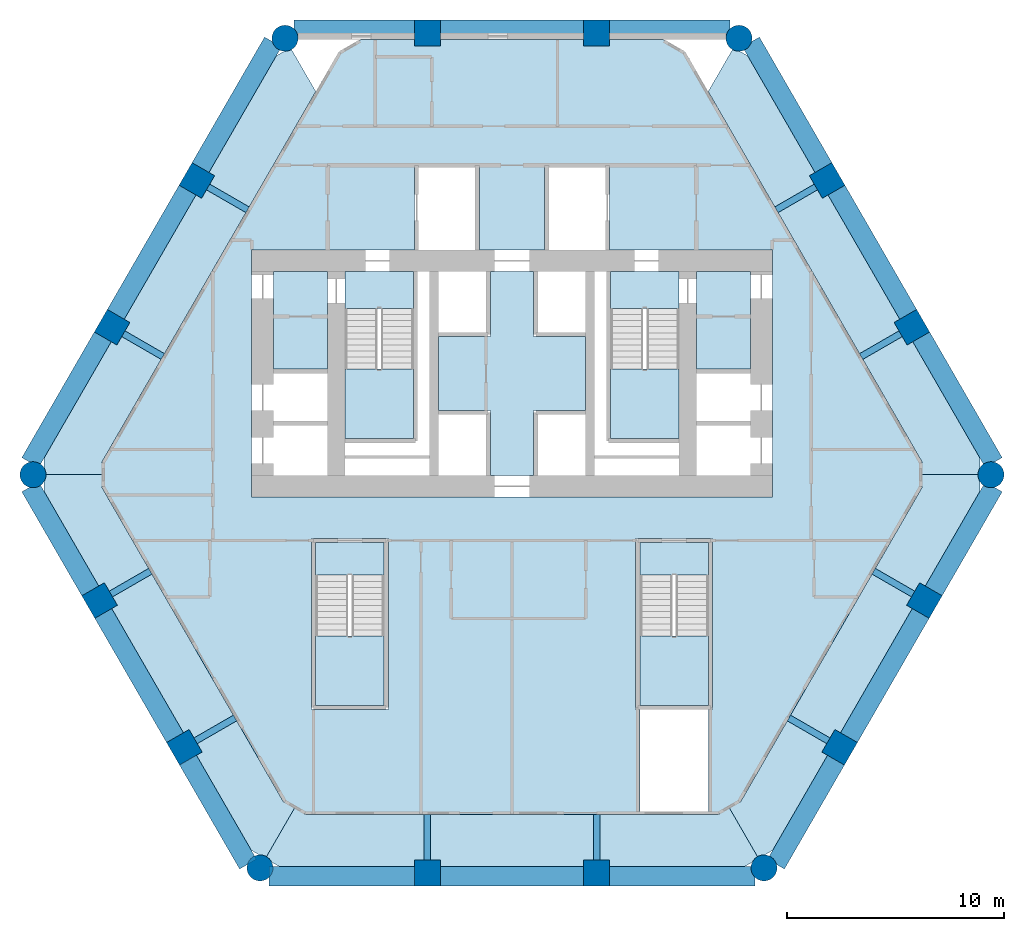
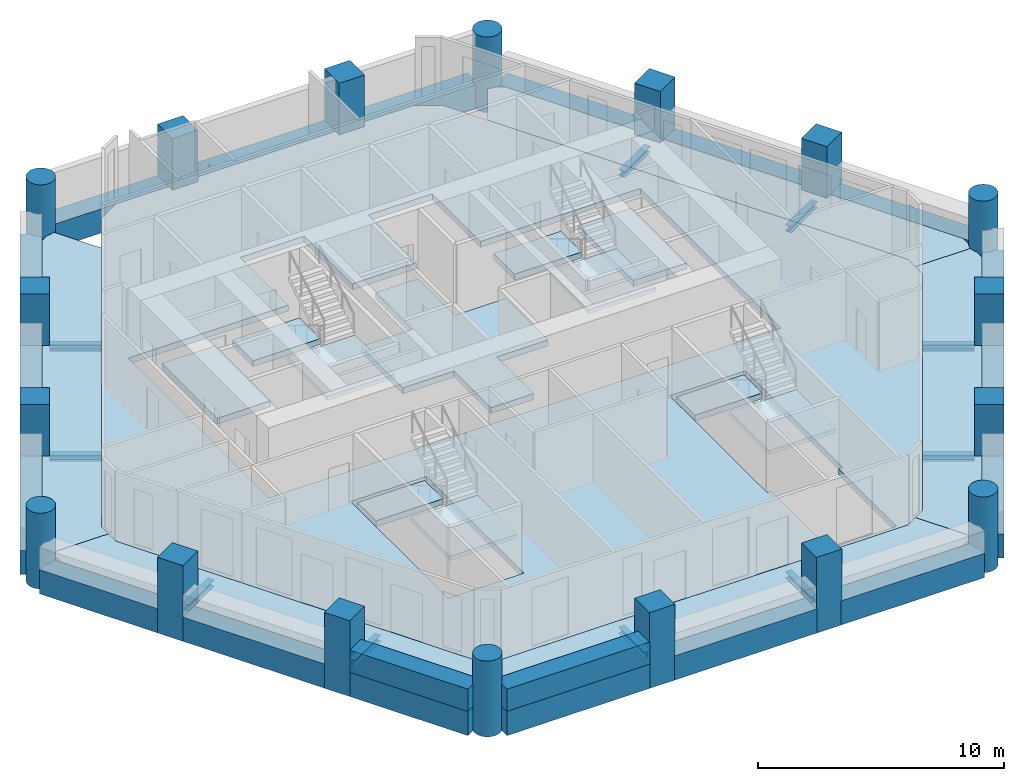
# One storey, part 1 of 7: 28 beams, 18 columns, 17 slabs, 2 walls, 4 elements without a shape of their own.
"""IFC4 building model written with IfcOpenShell, lengths in metres."""

from ifc_helpers import new_model, si_unit, direction, frame, frame_2d, origin, origin_2d, place, context, subcontext, project, spatial, polyline, rectangle, circle, i_section, outline, extrude, material, layer, layer_set, material_profile, profile_set, type_object, element, aggregate, save


model = new_model("IFC4")

# Units and contexts
model_context = context("Model", 3, precision=1e-05, world=origin(), true_north=direction((0.0, 1.0)))
body_context = subcontext(model_context, "Body", "Model", "MODEL_VIEW")
ifc_project = project(units=[si_unit("LENGTHUNIT", "METRE"), si_unit("AREAUNIT", "SQUARE_METRE"), si_unit("VOLUMEUNIT", "CUBIC_METRE"), si_unit("PLANEANGLEUNIT", "RADIAN"), si_unit("MASSUNIT", "GRAM", prefix="KILO")], contexts=[model_context])

# Site, building, storey
site_placement = place(None, origin())
site = spatial("IfcSite", under=ifc_project, at=site_placement, CompositionType="ELEMENT")
building_placement = place(site_placement, origin())
building = spatial("IfcBuilding", under=site, at=building_placement, Name="Ostrander Bayou Hotel Tower", CompositionType="ELEMENT")
storey_placement = place(building_placement, frame((0.0, 0.0, 119.75)))
storey = spatial("IfcBuildingStorey", under=building, at=storey_placement, Name="L29", CompositionType="ELEMENT", Elevation=119.75)

# Columns
ifc_material_1 = material(Name="Concrete f'c 70 MPa", Category="concrete")
ifc_material_profile_1 = material_profile(ifc_material_1, circle(Radius=0.60009765625, at=origin_2d()))
ifc_profile_set_1 = profile_set([ifc_material_profile_1], Name="Concrete f'c 70 MPa")
column_type_1 = type_object("IfcColumnType", Name="C3 round column 1200 mm f'c 70 MPa", PredefinedType="COLUMN", material=ifc_profile_set_1)
for number, where, z_axis, x_axis, name in (
    (1, (-10.466064453125, 19.458740234375, -1.199951171875), (0.0, 0.0, 1.0), (1.0, 0.0, 0.0), "C3 L29 K0"),
    (2, (-22.0849609375, -0.66552734375, -1.199951171875), (0.0, 0.0, 1.0), (1.0, 0.0, 0.0), "C3 L29 K1"),
    (3, (-11.618896484375, -18.793212890625, -1.199951171875), (0.0, 0.0, 1.0), (1.0, 0.0, 0.0), "C3 L29 K2"),
    (4, (11.618896484375, -18.793212890625, -1.199951171875), (0.0, 0.0, 1.0), (1.0, 0.0, 0.0), "C3 L29 K3"),
    (5, (22.0849609375, -0.66552734375, -1.199951171875), (0.0, 0.0, 1.0), (1.0, 0.0, 0.0), "C3 L29 K4"),
    (6, (10.466064453125, 19.458740234375, -1.199951171875), (0.0, 0.0, 1.0), (1.0, 0.0, 0.0), "C3 L29 K5"),
):
    element("IfcColumn", number, at=place(storey_placement, frame(where, z_axis=z_axis, x_axis=x_axis)), inside=storey, type_object=column_type_1, Name=name, PredefinedType="COLUMN", context=body_context, shape_type="SweptSolid", body=[
        extrude(circle(Radius=0.60009765625, at=origin_2d()), origin(), (0.0, 0.0, 1.0), 3.75),
    ])
ifc_material_2 = material(Name="Concrete f'c 70 MPa", Category="concrete")
ifc_material_profile_2 = material_profile(ifc_material_2, rectangle(XDim=1.199951171875, YDim=1.199951171875, at=origin_2d()))
ifc_profile_set_2 = profile_set([ifc_material_profile_2], Name="Concrete f'c 70 MPa")
column_type_2 = type_object("IfcColumnType", Name="C4 square column 1200 x 1200 mm f'c 70 MPa", PredefinedType="COLUMN", material=ifc_profile_set_2)
for number, where, z_axis, x_axis, name in (
    (7, (3.90673828125, 19.699951171875, -1.199951171875), (0.0, 0.0, 1.0), (1.0, 0.0, 0.0), "C4 L29 N1"),
    (8, (-3.90673828125, 19.699951171875, -1.199951171875), (0.0, 0.0, 1.0), (1.0, 0.0, 0.0), "C4 L29 N2"),
    (9, (-14.531005859375, 12.900634765625, -1.199951171875), (0.0, 0.0, 1.0), (0.5, 0.866025403784, 0.0), "C4 L29 NW1"),
    (10, (-18.437744140625, 6.1337890625, -1.199951171875), (0.0, 0.0, 1.0), (0.5, 0.866025403784, 0.0), "C4 L29 NW2"),
    (11, (-19.01416015625, -6.466796875, -1.199951171875), (0.0, 0.0, 1.0), (-0.5, 0.866025403784, 0.0), "C4 L29 SW1"),
    (12, (-15.107421875, -13.2333984375, -1.199951171875), (0.0, 0.0, 1.0), (-0.5, 0.866025403784, 0.0), "C4 L29 SW2"),
    (13, (-3.90673828125, -19.034423828125, -1.199951171875), (0.0, 0.0, 1.0), (-1.0, 0.0, 0.0), "C4 L29 S1"),
    (14, (3.90673828125, -19.034423828125, -1.199951171875), (0.0, 0.0, 1.0), (-1.0, 0.0, 0.0), "C4 L29 S2"),
    (15, (15.107421875, -13.2333984375, -1.199951171875), (0.0, 0.0, 1.0), (-0.5, -0.866025403784, 0.0), "C4 L29 SE1"),
    (16, (19.01416015625, -6.466796875, -1.199951171875), (0.0, 0.0, 1.0), (-0.5, -0.866025403784, 0.0), "C4 L29 SE2"),
    (17, (18.437744140625, 6.1337890625, -1.199951171875), (0.0, 0.0, 1.0), (0.5, -0.866025403784, 0.0), "C4 L29 NE1"),
    (18, (14.531005859375, 12.900634765625, -1.199951171875), (0.0, 0.0, 1.0), (0.5, -0.866025403784, 0.0), "C4 L29 NE2"),
):
    element("IfcColumn", number, at=place(storey_placement, frame(where, z_axis=z_axis, x_axis=x_axis)), inside=storey, type_object=column_type_2, Name=name, PredefinedType="COLUMN", context=body_context, shape_type="SweptSolid", body=[
        extrude(rectangle(XDim=1.199951171875, YDim=1.199951171875, at=origin_2d()), origin(), (0.0, 0.0, 1.0), 3.75),
    ])

# Beams
ifc_material_3 = material(Name="Steel ASTM A992", Category="steel")
ifc_material_profile_3 = material_profile(ifc_material_3, i_section(OverallWidth=0.3046875, OverallDepth=0.307861328125, WebThickness=0.010009765625, FlangeThickness=0.015380859375, at=origin_2d()))
ifc_profile_set_3 = profile_set([ifc_material_profile_3], Name="Steel ASTM A992")
beam_type_1 = type_object("IfcBeamType", Name="LB1 loggia bracket W12x65", PredefinedType="BEAM", material=ifc_profile_set_3)
for number, where, z_axis, x_axis, name in (
    (19, (-14.011474609375, 12.6005859375, -0.453857421875), (0.866038466041, -0.499977374825, 0.0), (0.499977374825, 0.866038466041, 0.0), "LB1 L29 NW1"),
    (20, (-17.918212890625, 5.833984375, -0.453857421875), (0.866038466041, -0.499977374825, 0.0), (0.499977374825, 0.866038466041, 0.0), "LB1 L29 NW2"),
    (21, (-18.494384765625, -6.166748046875, -0.453857421875), (0.866009402589, 0.500027713859, 0.0), (-0.500027713859, 0.866009402589, 0.0), "LB1 L29 SW1"),
    (22, (-14.587646484375, -12.933349609375, -0.453857421875), (0.866009402589, 0.500027713859, 0.0), (-0.500027713859, 0.866009402589, 0.0), "LB1 L29 SW2"),
    (23, (-3.90673828125, -18.4345703125, -0.453857421875), (0.0, 1.0, 0.0), (-1.0, 0.0, 0.0), "LB1 L29 S1"),
    (24, (3.90673828125, -18.4345703125, -0.453857421875), (0.0, 1.0, 0.0), (-1.0, 0.0, 0.0), "LB1 L29 S2"),
    (25, (14.587646484375, -12.933349609375, -0.453857421875), (-0.866009402589, 0.500027713859, 0.0), (-0.500027713859, -0.866009402589, 0.0), "LB1 L29 SE1"),
    (26, (18.494384765625, -6.166748046875, -0.453857421875), (-0.866009402589, 0.500027713859, 0.0), (-0.500027713859, -0.866009402589, 0.0), "LB1 L29 SE2"),
    (27, (17.918212890625, 5.833984375, -0.453857421875), (-0.866038466041, -0.499977374825, 0.0), (0.499977374825, -0.866038466041, 0.0), "LB1 L29 NE1"),
    (28, (14.011474609375, 12.6005859375, -0.453857421875), (-0.866038466041, -0.499977374825, 0.0), (0.499977374825, -0.866038466041, 0.0), "LB1 L29 NE2"),
):
    element("IfcBeam", number, at=place(storey_placement, frame(where, z_axis=z_axis, x_axis=x_axis)), inside=storey, type_object=beam_type_1, Name=name, PredefinedType="BEAM", context=body_context, shape_type="SweptSolid", body=[
        extrude(i_section(OverallWidth=0.3046875, OverallDepth=0.307861328125, WebThickness=0.010009765625, FlangeThickness=0.015380859375, at=origin_2d()), origin(), (0.0, 0.0, 1.0), 2.10009765625),
    ])
ifc_material_4 = material(Name="Concrete f'c 70 MPa", Category="concrete")
ifc_material_profile_4 = material_profile(ifc_material_4, rectangle(XDim=0.89990234375, YDim=1.199951171875, at=origin_2d()))
ifc_profile_set_4 = profile_set([ifc_material_profile_4], Name="Concrete f'c 70 MPa")
beam_type_2 = type_object("IfcBeamType", Name="SP2 spandrel beam 900 x 1200 mm f'c 70 MPa", PredefinedType="SPANDREL", material=ifc_profile_set_4)
beam_1_placement = place(storey_placement, frame((10.041015625, 19.85009765625, -0.60009765625), z_axis=(-1.0, 0.0, 0.0), x_axis=(0.0, -1.0, 0.0)))
element("IfcBeam", 29, at=beam_1_placement, inside=storey, type_object=beam_type_2, Name="SP2 L29 N-1", PredefinedType="SPANDREL", context=body_context, shape_type="SweptSolid", body=[
    extrude(rectangle(XDim=0.89990234375, YDim=1.199951171875, at=origin_2d()), origin(), (0.0, 0.0, 1.0), 5.564208984375),
])
beam_2_placement = place(storey_placement, frame((3.336669921875, 19.85009765625, -0.60009765625), z_axis=(-1.0, 0.0, 0.0), x_axis=(0.0, -1.0, 0.0)))
element("IfcBeam", 30, at=beam_2_placement, inside=storey, type_object=beam_type_2, Name="SP2 L29 N-2", PredefinedType="SPANDREL", context=body_context, shape_type="SweptSolid", body=[
    extrude(rectangle(XDim=0.89990234375, YDim=1.199951171875, at=origin_2d()), origin(), (0.0, 0.0, 1.0), 6.67333984375),
])
beam_3_placement = place(storey_placement, frame((-4.476806640625, 19.85009765625, -0.60009765625), z_axis=(-1.0, 0.0, 0.0), x_axis=(0.0, -1.0, 0.0)))
element("IfcBeam", 31, at=beam_3_placement, inside=storey, type_object=beam_type_2, Name="SP2 L29 N-3", PredefinedType="SPANDREL", context=body_context, shape_type="SweptSolid", body=[
    extrude(rectangle(XDim=0.89990234375, YDim=1.199951171875, at=origin_2d()), origin(), (0.0, 0.0, 1.0), 5.564208984375),
])
beam_4_placement = place(storey_placement, frame((-11.017333984375, 19.286376953125, -0.60009765625), z_axis=(-0.500012951941, -0.866017925849, 0.0), x_axis=(0.866017925849, -0.500012951941, 0.0)))
element("IfcBeam", 32, at=beam_4_placement, inside=storey, type_object=beam_type_2, Name="SP2 L29 NW-1", PredefinedType="SPANDREL", context=body_context, shape_type="SweptSolid", body=[
    extrude(rectangle(XDim=0.89990234375, YDim=1.199951171875, at=origin_2d()), origin(), (0.0, 0.0, 1.0), 6.717041015625),
])
beam_5_placement = place(storey_placement, frame((-14.94580078125, 12.48193359375, -0.60009765625), z_axis=(-0.50001062018, -0.866019272134, 0.0), x_axis=(0.866019272134, -0.50001062018, 0.0)))
element("IfcBeam", 33, at=beam_5_placement, inside=storey, type_object=beam_type_2, Name="SP2 L29 NW-2", PredefinedType="SPANDREL", context=body_context, shape_type="SweptSolid", body=[
    extrude(rectangle(XDim=0.89990234375, YDim=1.199951171875, at=origin_2d()), origin(), (0.0, 0.0, 1.0), 6.673583984375),
])
beam_6_placement = place(storey_placement, frame((-18.8525390625, 5.71533203125, -0.60009765625), z_axis=(-0.500012951941, -0.866017925849, 0.0), x_axis=(0.866017925849, -0.500012951941, 0.0)))
element("IfcBeam", 34, at=beam_6_placement, inside=storey, type_object=beam_type_2, Name="SP2 L29 NW-3", PredefinedType="SPANDREL", context=body_context, shape_type="SweptSolid", body=[
    extrude(rectangle(XDim=0.89990234375, YDim=1.199951171875, at=origin_2d()), origin(), (0.0, 0.0, 1.0), 6.717041015625),
])
beam_7_placement = place(storey_placement, frame((-22.211181640625, -1.22900390625, -0.60009765625), z_axis=(0.49998957009, -0.866031425412, 0.0), x_axis=(0.866031425412, 0.49998957009, 0.0)))
element("IfcBeam", 35, at=beam_7_placement, inside=storey, type_object=beam_type_2, Name="SP2 L29 SW-1", PredefinedType="SPANDREL", context=body_context, shape_type="SweptSolid", body=[
    extrude(rectangle(XDim=0.89990234375, YDim=1.199951171875, at=origin_2d()), origin(), (0.0, 0.0, 1.0), 5.564453125),
])
beam_8_placement = place(storey_placement, frame((-18.85888671875, -7.035400390625, -0.60009765625), z_axis=(0.499999023957, -0.866025967302, 0.0), x_axis=(0.866025967302, 0.499999023957, 0.0)))
element("IfcBeam", 36, at=beam_8_placement, inside=storey, type_object=beam_type_2, Name="SP2 L29 SW-2", PredefinedType="SPANDREL", context=body_context, shape_type="SweptSolid", body=[
    extrude(rectangle(XDim=0.89990234375, YDim=1.199951171875, at=origin_2d()), origin(), (0.0, 0.0, 1.0), 6.67333984375),
])
beam_9_placement = place(storey_placement, frame((-14.9521484375, -13.802001953125, -0.60009765625), z_axis=(0.500008568482, -0.866020456713, 0.0), x_axis=(0.866020456713, 0.500008568482, 0.0)))
element("IfcBeam", 37, at=beam_9_placement, inside=storey, type_object=beam_type_2, Name="SP2 L29 SW-3", PredefinedType="SPANDREL", context=body_context, shape_type="SweptSolid", body=[
    extrude(rectangle(XDim=0.89990234375, YDim=1.199951171875, at=origin_2d()), origin(), (0.0, 0.0, 1.0), 5.564453125),
])
beam_10_placement = place(storey_placement, frame((-11.19384765625, -19.1845703125, -0.60009765625), z_axis=(1.0, 0.0, 0.0), x_axis=(0.0, 1.0, 0.0)))
element("IfcBeam", 38, at=beam_10_placement, inside=storey, type_object=beam_type_2, Name="SP2 L29 S-1", PredefinedType="SPANDREL", context=body_context, shape_type="SweptSolid", body=[
    extrude(rectangle(XDim=0.89990234375, YDim=1.199951171875, at=origin_2d()), origin(), (0.0, 0.0, 1.0), 6.717041015625),
])
beam_11_placement = place(storey_placement, frame((-3.336669921875, -19.1845703125, -0.60009765625), z_axis=(1.0, 0.0, 0.0), x_axis=(0.0, 1.0, 0.0)))
element("IfcBeam", 39, at=beam_11_placement, inside=storey, type_object=beam_type_2, Name="SP2 L29 S-2", PredefinedType="SPANDREL", context=body_context, shape_type="SweptSolid", body=[
    extrude(rectangle(XDim=0.89990234375, YDim=1.199951171875, at=origin_2d()), origin(), (0.0, 0.0, 1.0), 6.67333984375),
])
beam_12_placement = place(storey_placement, frame((4.476806640625, -19.1845703125, -0.60009765625), z_axis=(1.0, 0.0, 0.0), x_axis=(0.0, 1.0, 0.0)))
element("IfcBeam", 40, at=beam_12_placement, inside=storey, type_object=beam_type_2, Name="SP2 L29 S-3", PredefinedType="SPANDREL", context=body_context, shape_type="SweptSolid", body=[
    extrude(rectangle(XDim=0.89990234375, YDim=1.199951171875, at=origin_2d()), origin(), (0.0, 0.0, 1.0), 6.717041015625),
])
beam_13_placement = place(storey_placement, frame((12.169921875, -18.620849609375, -0.60009765625), z_axis=(0.500008568482, 0.866020456713, 0.0), x_axis=(-0.866020456713, 0.500008568482, 0.0)))
element("IfcBeam", 41, at=beam_13_placement, inside=storey, type_object=beam_type_2, Name="SP2 L29 SE-1", PredefinedType="SPANDREL", context=body_context, shape_type="SweptSolid", body=[
    extrude(rectangle(XDim=0.89990234375, YDim=1.199951171875, at=origin_2d()), origin(), (0.0, 0.0, 1.0), 5.564453125),
])
beam_14_placement = place(storey_placement, frame((15.522216796875, -12.814697265625, -0.60009765625), z_axis=(0.499999023957, 0.866025967302, 0.0), x_axis=(-0.866025967302, 0.499999023957, 0.0)))
element("IfcBeam", 42, at=beam_14_placement, inside=storey, type_object=beam_type_2, Name="SP2 L29 SE-2", PredefinedType="SPANDREL", context=body_context, shape_type="SweptSolid", body=[
    extrude(rectangle(XDim=0.89990234375, YDim=1.199951171875, at=origin_2d()), origin(), (0.0, 0.0, 1.0), 6.67333984375),
])
beam_15_placement = place(storey_placement, frame((19.428955078125, -6.048095703125, -0.60009765625), z_axis=(0.49998957009, 0.866031425412, 0.0), x_axis=(-0.866031425412, 0.49998957009, 0.0)))
element("IfcBeam", 43, at=beam_15_placement, inside=storey, type_object=beam_type_2, Name="SP2 L29 SE-3", PredefinedType="SPANDREL", context=body_context, shape_type="SweptSolid", body=[
    extrude(rectangle(XDim=0.89990234375, YDim=1.199951171875, at=origin_2d()), origin(), (0.0, 0.0, 1.0), 5.564453125),
])
beam_16_placement = place(storey_placement, frame((22.211181640625, -0.101806640625, -0.60009765625), z_axis=(-0.500012951941, 0.866017925849, 0.0), x_axis=(-0.866017925849, -0.500012951941, 0.0)))
element("IfcBeam", 44, at=beam_16_placement, inside=storey, type_object=beam_type_2, Name="SP2 L29 NE-1", PredefinedType="SPANDREL", context=body_context, shape_type="SweptSolid", body=[
    extrude(rectangle(XDim=0.89990234375, YDim=1.199951171875, at=origin_2d()), origin(), (0.0, 0.0, 1.0), 6.717041015625),
])
beam_17_placement = place(storey_placement, frame((18.28271484375, 6.702392578125, -0.60009765625), z_axis=(-0.50001062018, 0.866019272134, 0.0), x_axis=(-0.866019272134, -0.50001062018, 0.0)))
element("IfcBeam", 45, at=beam_17_placement, inside=storey, type_object=beam_type_2, Name="SP2 L29 NE-2", PredefinedType="SPANDREL", context=body_context, shape_type="SweptSolid", body=[
    extrude(rectangle(XDim=0.89990234375, YDim=1.199951171875, at=origin_2d()), origin(), (0.0, 0.0, 1.0), 6.673583984375),
])
beam_18_placement = place(storey_placement, frame((14.3759765625, 13.46923828125, -0.60009765625), z_axis=(-0.500012951941, 0.866017925849, 0.0), x_axis=(-0.866017925849, -0.500012951941, 0.0)))
element("IfcBeam", 46, at=beam_18_placement, inside=storey, type_object=beam_type_2, Name="SP2 L29 NE-3", PredefinedType="SPANDREL", context=body_context, shape_type="SweptSolid", body=[
    extrude(rectangle(XDim=0.89990234375, YDim=1.199951171875, at=origin_2d()), origin(), (0.0, 0.0, 1.0), 6.717041015625),
])

# Slabs
ifc_material_5 = material(Name="Concrete f'c 40 MPa", Category="concrete")
ifc_layer_1 = layer(ifc_material_5, 0.300048828125)
ifc_layer_set_1 = layer_set([ifc_layer_1], Name="SL1 floor slab 300 mm f'c 40 MPa")
slab_type_1 = type_object("IfcSlabType", Name="SL1 floor slab 300 mm f'c 40 MPa", PredefinedType="FLOOR", material=ifc_layer_set_1)
slab_1_placement = place(storey_placement, frame((0.0, 0.0, -0.300048828125)))
element("IfcSlab", 47, at=slab_1_placement, inside=storey, type_object=slab_type_1, Name="SL1 L29 1", PredefinedType="FLOOR", context=body_context, shape_type="SweptSolid", body=[
    extrude(outline(polyline([(-3.336669921875, 19.39990234375), (3.336669921875, 19.39990234375), (4.476806640625, 19.39990234375), (6.968017578125, 19.39990234375), (8.00732421875, 18.800048828125), (18.8994140625, -0.0654296875), (18.8994140625, -1.265380859375), (10.545654296875, -15.734619140625), (9.50634765625, -16.33447265625), (-9.50634765625, -16.33447265625), (-10.545654296875, -15.734619140625), (-18.8994140625, -1.265380859375), (-18.8994140625, -0.0654296875), (-8.00732421875, 18.800048828125), (-6.968017578125, 19.39990234375), (-4.476806640625, 19.39990234375), (-3.336669921875, 19.39990234375)]), holes=[polyline([(-12.0, -1.699951171875), (12.0, -1.699951171875), (12.0, 9.699951171875), (4.5, 9.699951171875), (4.5, 13.60009765625), (1.5, 13.60009765625), (1.5, 9.699951171875), (-1.5, 9.699951171875), (-1.5, 13.60009765625), (-4.5, 13.60009765625), (-4.5, 9.699951171875), (-12.0, 9.699951171875), (-12.0, -1.699951171875)]), polyline([(9.050048828125, -11.5), (9.25, -11.5), (9.25, -3.60009765625), (5.699951171875, -3.60009765625), (5.699951171875, -11.5), (5.89990234375, -11.5), (5.89990234375, -16.1845703125), (9.050048828125, -16.1845703125), (9.050048828125, -11.5)]), polyline([(-5.699951171875, -3.60009765625), (-9.25, -3.60009765625), (-9.25, -11.5), (-5.699951171875, -11.5), (-5.699951171875, -3.60009765625)])]), origin(), (0.0, 0.0, 1.0), 0.300048828125),
])
slab_2_placement = place(storey_placement, frame((0.0, 0.0, -0.300048828125)))
element("IfcSlab", 48, at=slab_2_placement, inside=storey, type_object=slab_type_1, Name="cslab:L29:001", PredefinedType="FLOOR", context=body_context, shape_type="SweptSolid", body=[
    extrude(outline(polyline([(-3.39990234375, 5.699951171875), (-1.0, 5.699951171875), (-1.0, 8.699951171875), (1.0, 8.699951171875), (1.0, 5.699951171875), (3.39990234375, 5.699951171875), (3.39990234375, 2.300048828125), (1.0, 2.300048828125), (1.0, -0.699951171875), (-1.0, -0.699951171875), (-1.0, 2.300048828125), (-3.39990234375, 2.300048828125), (-3.39990234375, 5.699951171875)])), origin(), (0.0, 0.0, 1.0), 0.300048828125),
])
slab_3_placement = place(storey_placement, frame((0.0, 0.0, -0.300048828125)))
element("IfcSlab", 49, at=slab_3_placement, inside=storey, type_object=slab_type_1, Name="cslab:L29:002", PredefinedType="FLOOR", context=body_context, shape_type="SweptSolid", body=[
    extrude(outline(polyline([(-8.5, 4.199951171875), (-8.5, 8.699951171875), (-11.0, 8.699951171875), (-11.0, 4.199951171875), (-8.5, 4.199951171875)])), origin(), (0.0, 0.0, 1.0), 0.300048828125),
])
slab_4_placement = place(storey_placement, frame((0.0, 0.0, -0.300048828125)))
element("IfcSlab", 50, at=slab_4_placement, inside=storey, type_object=slab_type_1, Name="cslab:L29:003", PredefinedType="FLOOR", context=body_context, shape_type="SweptSolid", body=[
    extrude(outline(polyline([(11.0, 4.199951171875), (11.0, 8.699951171875), (8.5, 8.699951171875), (8.5, 4.199951171875), (11.0, 4.199951171875)])), origin(), (0.0, 0.0, 1.0), 0.300048828125),
])
slab_5_placement = place(storey_placement, frame((0.0, 0.0, -0.300048828125)))
element("IfcSlab", 51, at=slab_5_placement, inside=storey, type_object=slab_type_1, Name="cslab:L29:004", PredefinedType="FLOOR", context=body_context, shape_type="SweptSolid", body=[
    extrude(outline(polyline([(-4.550048828125, 7.0), (-4.550048828125, 8.699951171875), (-7.699951171875, 8.699951171875), (-7.699951171875, 7.0), (-4.550048828125, 7.0)])), origin(), (0.0, 0.0, 1.0), 0.300048828125),
])
slab_6_placement = place(storey_placement, frame((0.0, 0.0, -0.300048828125)))
element("IfcSlab", 52, at=slab_6_placement, inside=storey, type_object=slab_type_1, Name="cslab:L29:005", PredefinedType="FLOOR", context=body_context, shape_type="SweptSolid", body=[
    extrude(outline(polyline([(7.699951171875, 7.0), (7.699951171875, 8.699951171875), (4.550048828125, 8.699951171875), (4.550048828125, 7.0), (7.699951171875, 7.0)])), origin(), (0.0, 0.0, 1.0), 0.300048828125),
])
slab_7_placement = place(storey_placement, frame((0.0, 0.0, -0.300048828125)))
element("IfcSlab", 53, at=slab_7_placement, inside=storey, type_object=slab_type_1, Name="cslab:L29:006", PredefinedType="FLOOR", context=body_context, shape_type="SweptSolid", body=[
    extrude(outline(polyline([(9.050048828125, -5.300048828125), (9.050048828125, -3.800048828125), (5.89990234375, -3.800048828125), (5.89990234375, -5.300048828125), (9.050048828125, -5.300048828125)])), origin(), (0.0, 0.0, 1.0), 0.300048828125),
])
slab_8_placement = place(storey_placement, frame((0.0, 0.0, -0.300048828125)))
element("IfcSlab", 54, at=slab_8_placement, inside=storey, type_object=slab_type_1, Name="cslab:L29:007", PredefinedType="FLOOR", context=body_context, shape_type="SweptSolid", body=[
    extrude(outline(polyline([(-5.89990234375, -5.300048828125), (-5.89990234375, -3.800048828125), (-9.050048828125, -3.800048828125), (-9.050048828125, -5.300048828125), (-5.89990234375, -5.300048828125)])), origin(), (0.0, 0.0, 1.0), 0.300048828125),
])
ifc_material_6 = material(Name="Concrete f'c 40 MPa", Category="concrete")
ifc_layer_2 = layer(ifc_material_6, 0.300048828125)
ifc_layer_set_2 = layer_set([ifc_layer_2], Name="SL4 loggia slab 300 mm f'c 40 MPa")
slab_type_2 = type_object("IfcSlabType", Name="SL4 loggia slab 300 mm f'c 40 MPa", PredefinedType="FLOOR", material=ifc_layer_set_2)
slab_9_placement = place(storey_placement, frame((0.0, 0.0, -0.300048828125)))
element("IfcSlab", 55, at=slab_9_placement, inside=storey, type_object=slab_type_2, Name="SL4 LOGGIA L29 NW 1", PredefinedType="FLOOR", context=body_context, shape_type="SweptSolid", body=[
    extrude(outline(polyline([(-21.48486328125, -0.66552734375), (-21.496337890625, -0.548583984375), (-21.530517578125, -0.435791015625), (-21.583984375, -0.336181640625), (-21.583984375, 0.08447265625), (-18.462890625, 5.490234375), (-17.892822265625, 6.4775390625), (-14.55615234375, 12.2568359375), (-13.986083984375, 13.244140625), (-11.436279296875, 17.66064453125), (-11.110595703125, 18.22509765625), (-10.864990234375, 18.64990234375), (-10.498046875, 18.862060546875), (-10.466064453125, 18.85888671875), (-10.34912109375, 18.870361328125), (-10.236572265625, 18.904541015625), (-10.16748046875, 18.94140625), (-9.04638671875, 17.0), (-18.8994140625, -0.0654296875), (-18.8994140625, -0.66552734375), (-21.48486328125, -0.66552734375)])), origin(), (0.0, 0.0, 1.0), 0.300048828125),
])
slab_10_placement = place(storey_placement, frame((0.0, 0.0, -0.300048828125)))
element("IfcSlab", 56, at=slab_10_placement, inside=storey, type_object=slab_type_2, Name="SL4 LOGGIA L29 SW 1", PredefinedType="FLOOR", context=body_context, shape_type="SweptSolid", body=[
    extrude(outline(polyline([(-10.02587890625, -16.034423828125), (-11.320068359375, -18.27587890625), (-11.38916015625, -18.239013671875), (-11.501708984375, -18.204833984375), (-11.618896484375, -18.193359375), (-11.650634765625, -18.196533203125), (-12.017822265625, -17.984619140625), (-14.5625, -13.576904296875), (-15.132568359375, -12.589599609375), (-18.46923828125, -6.810302734375), (-19.039306640625, -5.822998046875), (-21.583984375, -1.41552734375), (-21.583984375, -0.9951171875), (-21.530517578125, -0.89501953125), (-21.496337890625, -0.78271484375), (-21.48486328125, -0.66552734375), (-18.8994140625, -0.66552734375), (-18.8994140625, -1.265380859375), (-10.545654296875, -15.734619140625), (-10.02587890625, -16.034423828125)])), origin(), (0.0, 0.0, 1.0), 0.300048828125),
])
slab_11_placement = place(storey_placement, frame((0.0, 0.0, -0.300048828125)))
element("IfcSlab", 57, at=slab_11_placement, inside=storey, type_object=slab_type_2, Name="SL4 LOGGIA L29 S 1", PredefinedType="FLOOR", context=body_context, shape_type="SweptSolid", body=[
    extrude(outline(polyline([(10.02587890625, -16.034423828125), (11.320068359375, -18.27587890625), (11.285400390625, -18.29443359375), (11.194580078125, -18.369140625), (11.119873046875, -18.4599609375), (11.086669921875, -18.522216796875), (10.71875, -18.734619140625), (-10.71875, -18.734619140625), (-11.086669921875, -18.522216796875), (-11.119873046875, -18.4599609375), (-11.194580078125, -18.369140625), (-11.285400390625, -18.29443359375), (-11.320068359375, -18.27587890625), (-10.02587890625, -16.034423828125), (-9.50634765625, -16.33447265625), (9.50634765625, -16.33447265625), (10.02587890625, -16.034423828125)])), origin(), (0.0, 0.0, 1.0), 0.300048828125),
])
slab_12_placement = place(storey_placement, frame((0.0, 0.0, -0.300048828125)))
element("IfcSlab", 58, at=slab_12_placement, inside=storey, type_object=slab_type_2, Name="SL4 LOGGIA L29 SE 1", PredefinedType="FLOOR", context=body_context, shape_type="SweptSolid", body=[
    extrude(outline(polyline([(18.8994140625, -0.66552734375), (21.48486328125, -0.66552734375), (21.496337890625, -0.78271484375), (21.530517578125, -0.89501953125), (21.583984375, -0.9951171875), (21.583984375, -1.41552734375), (19.039306640625, -5.822998046875), (18.46923828125, -6.810302734375), (15.132568359375, -12.589599609375), (14.5625, -13.576904296875), (14.23779296875, -14.139404296875), (13.923583984375, -14.68359375), (13.19140625, -15.951904296875), (12.017822265625, -17.984619140625), (11.650634765625, -18.196533203125), (11.618896484375, -18.193359375), (11.501708984375, -18.204833984375), (11.38916015625, -18.239013671875), (11.320068359375, -18.27587890625), (10.02587890625, -16.034423828125), (10.545654296875, -15.734619140625), (18.8994140625, -1.265380859375), (18.8994140625, -0.66552734375)])), origin(), (0.0, 0.0, 1.0), 0.300048828125),
])
slab_13_placement = place(storey_placement, frame((0.0, 0.0, -0.300048828125)))
element("IfcSlab", 59, at=slab_13_placement, inside=storey, type_object=slab_type_2, Name="SL4 LOGGIA L29 NE 1", PredefinedType="FLOOR", context=body_context, shape_type="SweptSolid", body=[
    extrude(outline(polyline([(10.16748046875, 18.94140625), (10.236572265625, 18.904541015625), (10.34912109375, 18.870361328125), (10.466064453125, 18.85888671875), (10.498046875, 18.862060546875), (10.864990234375, 18.64990234375), (12.022216796875, 16.64599609375), (13.098388671875, 14.781494140625), (15.59619140625, 10.455322265625), (17.892822265625, 6.4775390625), (21.583984375, 0.08447265625), (21.583984375, -0.336181640625), (21.530517578125, -0.435791015625), (21.496337890625, -0.548583984375), (21.48486328125, -0.66552734375), (18.8994140625, -0.66552734375), (18.8994140625, -0.0654296875), (9.04638671875, 17.0), (10.16748046875, 18.94140625)])), origin(), (0.0, 0.0, 1.0), 0.300048828125),
])

# Stair, slab
ifc_material_7 = material(Name="Concrete f'c 45 MPa", Category="concrete")
stair_type = type_object("IfcStairType", Name="ST1 exit stair 1500 mm f'c 45 MPa", PredefinedType="HALF_TURN_STAIR", material=ifc_material_7)
stair_1_placement = place(storey_placement, origin())
stair_1 = element("IfcStair", 60, at=stair_1_placement, inside=storey, type_object=stair_type, Name="L29 exit stair A", PredefinedType="HALF_TURN_STAIR")
ifc_material_8 = material(Name="Concrete f'c 45 MPa", Category="concrete")
ifc_layer_3 = layer(ifc_material_8, 0.199951171875)
ifc_layer_set_3 = layer_set([ifc_layer_3], Name="SL8 stair landing 200 mm f'c 45 MPa")
slab_type_3 = type_object("IfcSlabType", Name="SL8 stair landing 200 mm f'c 45 MPa", PredefinedType="LANDING", material=ifc_layer_set_3)
slab_14_placement = place(storey_placement, frame((0.0, 0.0, 1.675048828125)))
slab_14 = element("IfcSlab", 61, at=slab_14_placement, type_object=slab_type_3, Name="STA landing 1", PredefinedType="LANDING", context=body_context, shape_type="SweptSolid", body=[
    extrude(outline(polyline([(-7.699951171875, 4.199951171875), (-7.699951171875, 1.0), (-4.550048828125, 1.0), (-4.550048828125, 4.199951171875), (-7.699951171875, 4.199951171875)])), origin(), (0.0, 0.0, 1.0), 0.199951171875),
])
aggregate(stair_1, [slab_14])

stair_2_placement = place(storey_placement, origin())
stair_2 = element("IfcStair", 62, at=stair_2_placement, inside=storey, type_object=stair_type, Name="L29 exit stair B", PredefinedType="HALF_TURN_STAIR")
slab_15_placement = place(storey_placement, frame((0.0, 0.0, 1.675048828125)))
slab_15 = element("IfcSlab", 63, at=slab_15_placement, type_object=slab_type_3, Name="STB landing 1", PredefinedType="LANDING", context=body_context, shape_type="SweptSolid", body=[
    extrude(outline(polyline([(4.550048828125, 4.199951171875), (4.550048828125, 1.0), (7.699951171875, 1.0), (7.699951171875, 4.199951171875), (4.550048828125, 4.199951171875)])), origin(), (0.0, 0.0, 1.0), 0.199951171875),
])
aggregate(stair_2, [slab_15])

stair_3_placement = place(storey_placement, origin())
stair_3 = element("IfcStair", 64, at=stair_3_placement, inside=storey, type_object=stair_type, Name="L29 exit stair C", PredefinedType="HALF_TURN_STAIR")
slab_16_placement = place(storey_placement, frame((0.0, 0.0, 1.675048828125)))
slab_16 = element("IfcSlab", 65, at=slab_16_placement, type_object=slab_type_3, Name="STC landing 1", PredefinedType="LANDING", context=body_context, shape_type="SweptSolid", body=[
    extrude(outline(polyline([(5.89990234375, -8.10009765625), (5.89990234375, -11.300048828125), (9.050048828125, -11.300048828125), (9.050048828125, -8.10009765625), (5.89990234375, -8.10009765625)])), origin(), (0.0, 0.0, 1.0), 0.199951171875),
])
aggregate(stair_3, [slab_16])

stair_4_placement = place(storey_placement, origin())
stair_4 = element("IfcStair", 66, at=stair_4_placement, inside=storey, type_object=stair_type, Name="L29 exit stair D", PredefinedType="HALF_TURN_STAIR")
slab_17_placement = place(storey_placement, frame((0.0, 0.0, 1.675048828125)))
slab_17 = element("IfcSlab", 67, at=slab_17_placement, type_object=slab_type_3, Name="STD landing 1", PredefinedType="LANDING", context=body_context, shape_type="SweptSolid", body=[
    extrude(outline(polyline([(-9.050048828125, -8.10009765625), (-9.050048828125, -11.300048828125), (-5.89990234375, -11.300048828125), (-5.89990234375, -8.10009765625), (-9.050048828125, -8.10009765625)])), origin(), (0.0, 0.0, 1.0), 0.199951171875),
])
aggregate(stair_4, [slab_17])

# Walls
ifc_material_9 = material(Name="Concrete f'c 40 MPa", Category="concrete")
ifc_layer_4 = layer(ifc_material_9, 0.89990234375)
ifc_layer_set_4 = layer_set([ifc_layer_4], Name="PA1 stone-faced parapet 900 mm")
wall_type_1 = type_object("IfcWallType", Name="PA1 stone-faced parapet 900 mm", PredefinedType="PARAPET", material=ifc_layer_set_4)
wall_1_placement = place(storey_placement, frame((-11.19384765625, -19.1845703125, 0.0), z_axis=(0.0, 0.0, 1.0), x_axis=(1.0, 0.0, 0.0)))
element("IfcWall", 68, at=wall_1_placement, inside=storey, type_object=wall_type_1, Name="PA1 L29 S-1", PredefinedType="PARAPET", context=body_context, shape_type="SweptSolid", body=[
    extrude(rectangle(XDim=6.717041015625, YDim=0.89990234375, at=frame_2d((3.3583984375, 0.0))), origin(), (0.0, 0.0, 1.0), 1.10009765625),
])
ifc_material_10 = material(Name="Limestone masonry", Category="masonry")
ifc_layer_5 = layer(ifc_material_10, 0.89990234375)
ifc_layer_set_5 = layer_set([ifc_layer_5], Name="PA2 limestone parapet 900 mm")
wall_type_2 = type_object("IfcWallType", Name="PA2 limestone parapet 900 mm", PredefinedType="PARAPET", material=ifc_layer_set_5)
wall_2_placement = place(storey_placement, frame((-14.9521484375, -13.802001953125, 0.0), z_axis=(0.0, 0.0, 1.0), x_axis=(0.500008568482, -0.866020456713, 0.0)))
element("IfcWall", 69, at=wall_2_placement, inside=storey, type_object=wall_type_2, Name="PA2 L29 SW-3", PredefinedType="PARAPET", context=body_context, shape_type="SweptSolid", body=[
    extrude(rectangle(XDim=5.564453125, YDim=0.89990234375, at=frame_2d((2.7822265625, 0.0))), origin(), (0.0, 0.0, 1.0), 1.10009765625),
])

save(model, "model.ifc")
